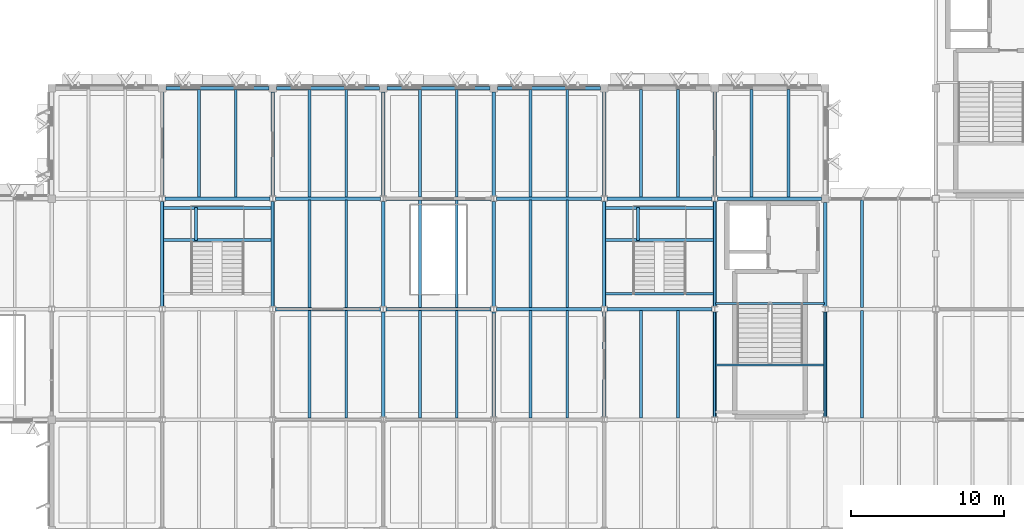
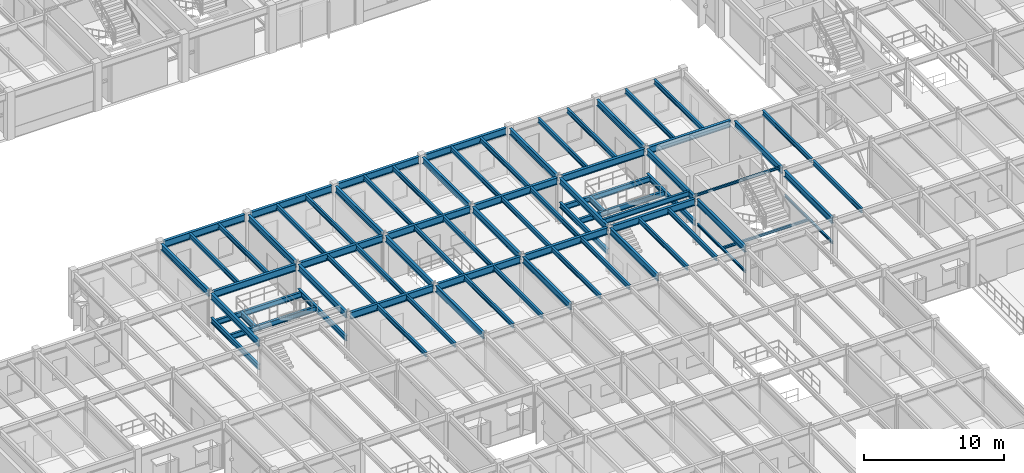
# One storey, part 19 of 85: 75 beams.
"""IFC4 building model written with IfcOpenShell, lengths in metres."""

from ifc_helpers import new_model, si_unit, direction, frame, origin, origin_2d, place, context, subcontext, project, spatial, i_section, extrude, material, material_profile, profile_set, type_object, element, save


model = new_model("IFC4")

# Units and contexts
model_context = context("Model", 3, precision=1e-05, world=origin(), true_north=direction((0.0, 1.0)))
body_context = subcontext(model_context, "Body", "Model", "MODEL_VIEW")
ifc_project = project(units=[si_unit("LENGTHUNIT", "METRE"), si_unit("AREAUNIT", "SQUARE_METRE"), si_unit("VOLUMEUNIT", "CUBIC_METRE"), si_unit("PLANEANGLEUNIT", "RADIAN"), si_unit("MASSUNIT", "GRAM", prefix="KILO")], contexts=[model_context])

# Site, building, storey
site_placement = place(None, origin())
site = spatial("IfcSite", under=ifc_project, at=site_placement, CompositionType="ELEMENT")
building_placement = place(site_placement, origin())
building = spatial("IfcBuilding", under=site, at=building_placement, Name="Sillqori Civic Hall", CompositionType="ELEMENT")
storey_placement = place(building_placement, frame((0.0, 0.0, 9.89990234375)))
storey = spatial("IfcBuildingStorey", under=building, at=storey_placement, Name="L03", CompositionType="ELEMENT", Elevation=9.89990234375)

# Beams
ifc_material = material(Name="Steel ASTM A992", Category="steel")
ifc_material_profile_1 = material_profile(ifc_material, i_section(OverallWidth=0.19091796875, OverallDepth=0.4599609375, WebThickness=0.010009765625, FlangeThickness=0.01611328125, FilletRadius=0.012939453125, at=origin_2d()), Name="W18X55")
ifc_profile_set_1 = profile_set([ifc_material_profile_1], Name="Steel ASTM A992")
beam_type_1 = type_object("IfcBeamType", Name="BM-W18X55", PredefinedType="BEAM", material=ifc_profile_set_1)
for number, where, z_axis, x_axis, name in (
    (1, (72.0, 43.37451171875, 1.675048828125), (0.0, 1.0, 0.0), (-1.0, 0.0, 0.0), "Wedge Atrium Upper West Stair L03-L04 landing stringer girder W"),
    (2, (79.199951171875, 43.37451171875, 1.675048828125), (0.0, 1.0, 0.0), (-1.0, 0.0, 0.0), "Wedge Atrium Upper West Stair L03-L04 landing stringer girder E"),
):
    element("IfcBeam", number, at=place(storey_placement, frame(where, z_axis=z_axis, x_axis=x_axis)), inside=storey, type_object=beam_type_1, Name=name, PredefinedType="BEAM", context=body_context, shape_type="SweptSolid", body=[
        extrude(i_section(OverallWidth=0.19091796875, OverallDepth=0.4599609375, WebThickness=0.010009765625, FlangeThickness=0.01611328125, FilletRadius=0.012939453125, at=origin_2d()), origin(), (0.0, 0.0, 1.0), 6.85107421875),
    ])
for number, where, z_axis, x_axis, name in (
    (3, (72.0400390625, 47.7099609375, 1.675048828125), (1.0, 0.0, 0.0), (0.0, 1.0, 0.0), "Wedge Atrium Upper West Stair L03-L04 half-landing cross trimmer 1"),
    (4, (72.0400390625, 49.780029296875, 1.675048828125), (1.0, 0.0, 0.0), (0.0, 1.0, 0.0), "Wedge Atrium Upper West Stair L03-L04 half-landing cross trimmer 2"),
):
    element("IfcBeam", number, at=place(storey_placement, frame(where, z_axis=z_axis, x_axis=x_axis)), inside=storey, type_object=beam_type_1, Name=name, PredefinedType="BEAM", context=body_context, shape_type="SweptSolid", body=[
        extrude(i_section(OverallWidth=0.19091796875, OverallDepth=0.4599609375, WebThickness=0.010009765625, FlangeThickness=0.01611328125, FilletRadius=0.012939453125, at=origin_2d()), origin(), (0.0, 0.0, 1.0), 7.119873046875),
    ])
beam_1_placement = place(storey_placement, frame((74.199951171875, 47.679931640625, 1.675048828125), z_axis=(0.0, 1.0, 0.0), x_axis=(-1.0, 0.0, 0.0)))
element("IfcBeam", 5, at=beam_1_placement, inside=storey, type_object=beam_type_1, Name="Wedge Atrium Upper West Stair L03-L04 half-landing spine rib", PredefinedType="BEAM", context=body_context, shape_type="SweptSolid", body=[
    extrude(i_section(OverallWidth=0.19091796875, OverallDepth=0.4599609375, WebThickness=0.010009765625, FlangeThickness=0.01611328125, FilletRadius=0.012939453125, at=origin_2d()), origin(), (0.0, 0.0, 1.0), 2.130126953125),
])
for number, where, z_axis, x_axis, name in (
    (6, (100.800048828125, 43.37451171875, 1.675048828125), (0.0, 1.0, 0.0), (-1.0, 0.0, 0.0), "Wedge Atrium Upper East Stair L03-L04 landing stringer girder W"),
    (7, (108.0, 43.37451171875, 1.675048828125), (0.0, 1.0, 0.0), (-1.0, 0.0, 0.0), "Wedge Atrium Upper East Stair L03-L04 landing stringer girder E"),
):
    element("IfcBeam", number, at=place(storey_placement, frame(where, z_axis=z_axis, x_axis=x_axis)), inside=storey, type_object=beam_type_1, Name=name, PredefinedType="BEAM", context=body_context, shape_type="SweptSolid", body=[
        extrude(i_section(OverallWidth=0.19091796875, OverallDepth=0.4599609375, WebThickness=0.010009765625, FlangeThickness=0.01611328125, FilletRadius=0.012939453125, at=origin_2d()), origin(), (0.0, 0.0, 1.0), 6.85107421875),
    ])
for number, where, z_axis, x_axis, name in (
    (8, (100.840087890625, 47.7099609375, 1.675048828125), (1.0, 0.0, 0.0), (0.0, 1.0, 0.0), "Wedge Atrium Upper East Stair L03-L04 half-landing cross trimmer 1"),
    (9, (100.840087890625, 49.780029296875, 1.675048828125), (1.0, 0.0, 0.0), (0.0, 1.0, 0.0), "Wedge Atrium Upper East Stair L03-L04 half-landing cross trimmer 2"),
):
    element("IfcBeam", number, at=place(storey_placement, frame(where, z_axis=z_axis, x_axis=x_axis)), inside=storey, type_object=beam_type_1, Name=name, PredefinedType="BEAM", context=body_context, shape_type="SweptSolid", body=[
        extrude(i_section(OverallWidth=0.19091796875, OverallDepth=0.4599609375, WebThickness=0.010009765625, FlangeThickness=0.01611328125, FilletRadius=0.012939453125, at=origin_2d()), origin(), (0.0, 0.0, 1.0), 7.119873046875),
    ])
beam_2_placement = place(storey_placement, frame((103.0, 47.679931640625, 1.675048828125), z_axis=(0.0, 1.0, 0.0), x_axis=(-1.0, 0.0, 0.0)))
element("IfcBeam", 10, at=beam_2_placement, inside=storey, type_object=beam_type_1, Name="Wedge Atrium Upper East Stair L03-L04 half-landing spine rib", PredefinedType="BEAM", context=body_context, shape_type="SweptSolid", body=[
    extrude(i_section(OverallWidth=0.19091796875, OverallDepth=0.4599609375, WebThickness=0.010009765625, FlangeThickness=0.01611328125, FilletRadius=0.012939453125, at=origin_2d()), origin(), (0.0, 0.0, 1.0), 2.130126953125),
])
beam_3_placement = place(storey_placement, frame((100.840087890625, 44.199951171875, 3.795166015625), z_axis=(1.0, 0.0, 0.0), x_axis=(0.0, 1.0, 0.0)))
element("IfcBeam", 11, at=beam_3_placement, inside=storey, type_object=beam_type_1, Name="Wedge Atrium Upper East Stair L03-L04 upper arrival trimmer beam", PredefinedType="BEAM", context=body_context, shape_type="SweptSolid", body=[
    extrude(i_section(OverallWidth=0.19091796875, OverallDepth=0.4599609375, WebThickness=0.010009765625, FlangeThickness=0.01611328125, FilletRadius=0.012939453125, at=origin_2d()), origin(), (0.0, 0.0, 1.0), 7.119873046875),
])
ifc_material_profile_2 = material_profile(ifc_material, i_section(OverallWidth=0.2099609375, OverallDepth=0.532958984375, WebThickness=0.01025390625, FlangeThickness=0.015625, FilletRadius=0.013916015625, at=origin_2d()), Name="W21X62")
ifc_profile_set_2 = profile_set([ifc_material_profile_2], Name="Steel ASTM A992")
beam_type_2 = type_object("IfcBeamType", Name="BM-W21X62", PredefinedType="BEAM", material=ifc_profile_set_2)
beam_4_placement = place(storey_placement, frame((72.0, 43.37451171875, 3.753662109375), z_axis=(0.0, 1.0, 0.0), x_axis=(-1.0, 0.0, 0.0)))
element("IfcBeam", 12, at=beam_4_placement, inside=storey, type_object=beam_type_2, Name="L03 girder Y 10-6", PredefinedType="BEAM", context=body_context, shape_type="SweptSolid", body=[
    extrude(i_section(OverallWidth=0.2099609375, OverallDepth=0.532958984375, WebThickness=0.01025390625, FlangeThickness=0.015625, FilletRadius=0.013916015625, at=origin_2d()), origin(), (0.0, 0.0, 1.0), 6.85107421875),
])
beam_5_placement = place(storey_placement, frame((72.0, 50.574462890625, 3.753662109375), z_axis=(0.0, 1.0, 0.0), x_axis=(-1.0, 0.0, 0.0)))
element("IfcBeam", 13, at=beam_5_placement, inside=storey, type_object=beam_type_2, Name="L03 girder Y 10-7", PredefinedType="BEAM", context=body_context, shape_type="SweptSolid", body=[
    extrude(i_section(OverallWidth=0.2099609375, OverallDepth=0.532958984375, WebThickness=0.01025390625, FlangeThickness=0.015625, FilletRadius=0.013916015625, at=origin_2d()), origin(), (0.0, 0.0, 1.0), 6.781494140625),
])
beam_6_placement = place(storey_placement, frame((79.199951171875, 43.37451171875, 3.753662109375), z_axis=(0.0, 1.0, 0.0), x_axis=(-1.0, 0.0, 0.0)))
element("IfcBeam", 14, at=beam_6_placement, inside=storey, type_object=beam_type_2, Name="L03 girder Y 11-6", PredefinedType="BEAM", context=body_context, shape_type="SweptSolid", body=[
    extrude(i_section(OverallWidth=0.2099609375, OverallDepth=0.532958984375, WebThickness=0.01025390625, FlangeThickness=0.015625, FilletRadius=0.013916015625, at=origin_2d()), origin(), (0.0, 0.0, 1.0), 6.85107421875),
])
beam_7_placement = place(storey_placement, frame((79.199951171875, 50.574462890625, 3.753662109375), z_axis=(0.0, 1.0, 0.0), x_axis=(-1.0, 0.0, 0.0)))
element("IfcBeam", 15, at=beam_7_placement, inside=storey, type_object=beam_type_2, Name="L03 girder Y 11-7", PredefinedType="BEAM", context=body_context, shape_type="SweptSolid", body=[
    extrude(i_section(OverallWidth=0.2099609375, OverallDepth=0.532958984375, WebThickness=0.01025390625, FlangeThickness=0.015625, FilletRadius=0.013916015625, at=origin_2d()), origin(), (0.0, 0.0, 1.0), 6.781494140625),
])
beam_8_placement = place(storey_placement, frame((86.39990234375, 36.174560546875, 3.753662109375), z_axis=(0.0, 1.0, 0.0), x_axis=(-1.0, 0.0, 0.0)))
element("IfcBeam", 16, at=beam_8_placement, inside=storey, type_object=beam_type_2, Name="L03 girder Y 12-5", PredefinedType="BEAM", context=body_context, shape_type="SweptSolid", body=[
    extrude(i_section(OverallWidth=0.2099609375, OverallDepth=0.532958984375, WebThickness=0.01025390625, FlangeThickness=0.015625, FilletRadius=0.013916015625, at=origin_2d()), origin(), (0.0, 0.0, 1.0), 6.850830078125),
])
beam_9_placement = place(storey_placement, frame((86.39990234375, 43.37451171875, 3.753662109375), z_axis=(0.0, 1.0, 0.0), x_axis=(-1.0, 0.0, 0.0)))
element("IfcBeam", 17, at=beam_9_placement, inside=storey, type_object=beam_type_2, Name="L03 girder Y 12-6", PredefinedType="BEAM", context=body_context, shape_type="SweptSolid", body=[
    extrude(i_section(OverallWidth=0.2099609375, OverallDepth=0.532958984375, WebThickness=0.01025390625, FlangeThickness=0.015625, FilletRadius=0.013916015625, at=origin_2d()), origin(), (0.0, 0.0, 1.0), 6.85107421875),
])
beam_10_placement = place(storey_placement, frame((86.39990234375, 50.574462890625, 3.753662109375), z_axis=(0.0, 1.0, 0.0), x_axis=(-1.0, 0.0, 0.0)))
element("IfcBeam", 18, at=beam_10_placement, inside=storey, type_object=beam_type_2, Name="L03 girder Y 12-7", PredefinedType="BEAM", context=body_context, shape_type="SweptSolid", body=[
    extrude(i_section(OverallWidth=0.2099609375, OverallDepth=0.532958984375, WebThickness=0.01025390625, FlangeThickness=0.015625, FilletRadius=0.013916015625, at=origin_2d()), origin(), (0.0, 0.0, 1.0), 6.781494140625),
])
beam_11_placement = place(storey_placement, frame((93.60009765625, 36.174560546875, 3.753662109375), z_axis=(0.0, 1.0, 0.0), x_axis=(-1.0, 0.0, 0.0)))
element("IfcBeam", 19, at=beam_11_placement, inside=storey, type_object=beam_type_2, Name="L03 girder Y 13-5", PredefinedType="BEAM", context=body_context, shape_type="SweptSolid", body=[
    extrude(i_section(OverallWidth=0.2099609375, OverallDepth=0.532958984375, WebThickness=0.01025390625, FlangeThickness=0.015625, FilletRadius=0.013916015625, at=origin_2d()), origin(), (0.0, 0.0, 1.0), 6.850830078125),
])
beam_12_placement = place(storey_placement, frame((93.60009765625, 43.37451171875, 3.753662109375), z_axis=(0.0, 1.0, 0.0), x_axis=(-1.0, 0.0, 0.0)))
element("IfcBeam", 20, at=beam_12_placement, inside=storey, type_object=beam_type_2, Name="L03 girder Y 13-6", PredefinedType="BEAM", context=body_context, shape_type="SweptSolid", body=[
    extrude(i_section(OverallWidth=0.2099609375, OverallDepth=0.532958984375, WebThickness=0.01025390625, FlangeThickness=0.015625, FilletRadius=0.013916015625, at=origin_2d()), origin(), (0.0, 0.0, 1.0), 6.85107421875),
])
beam_13_placement = place(storey_placement, frame((93.60009765625, 50.574462890625, 3.753662109375), z_axis=(0.0, 1.0, 0.0), x_axis=(-1.0, 0.0, 0.0)))
element("IfcBeam", 21, at=beam_13_placement, inside=storey, type_object=beam_type_2, Name="L03 girder Y 13-7", PredefinedType="BEAM", context=body_context, shape_type="SweptSolid", body=[
    extrude(i_section(OverallWidth=0.2099609375, OverallDepth=0.532958984375, WebThickness=0.01025390625, FlangeThickness=0.015625, FilletRadius=0.013916015625, at=origin_2d()), origin(), (0.0, 0.0, 1.0), 6.781494140625),
])
beam_14_placement = place(storey_placement, frame((100.800048828125, 36.174560546875, 3.753662109375), z_axis=(0.0, 1.0, 0.0), x_axis=(-1.0, 0.0, 0.0)))
element("IfcBeam", 22, at=beam_14_placement, inside=storey, type_object=beam_type_2, Name="L03 girder Y 14-5", PredefinedType="BEAM", context=body_context, shape_type="SweptSolid", body=[
    extrude(i_section(OverallWidth=0.2099609375, OverallDepth=0.532958984375, WebThickness=0.01025390625, FlangeThickness=0.015625, FilletRadius=0.013916015625, at=origin_2d()), origin(), (0.0, 0.0, 1.0), 6.850830078125),
])
beam_15_placement = place(storey_placement, frame((100.800048828125, 43.37451171875, 3.753662109375), z_axis=(0.0, 1.0, 0.0), x_axis=(-1.0, 0.0, 0.0)))
element("IfcBeam", 23, at=beam_15_placement, inside=storey, type_object=beam_type_2, Name="L03 girder Y 14-6", PredefinedType="BEAM", context=body_context, shape_type="SweptSolid", body=[
    extrude(i_section(OverallWidth=0.2099609375, OverallDepth=0.532958984375, WebThickness=0.01025390625, FlangeThickness=0.015625, FilletRadius=0.013916015625, at=origin_2d()), origin(), (0.0, 0.0, 1.0), 6.85107421875),
])
beam_16_placement = place(storey_placement, frame((100.800048828125, 50.574462890625, 3.753662109375), z_axis=(0.0, 1.0, 0.0), x_axis=(-1.0, 0.0, 0.0)))
element("IfcBeam", 24, at=beam_16_placement, inside=storey, type_object=beam_type_2, Name="L03 girder Y 14-7", PredefinedType="BEAM", context=body_context, shape_type="SweptSolid", body=[
    extrude(i_section(OverallWidth=0.2099609375, OverallDepth=0.532958984375, WebThickness=0.01025390625, FlangeThickness=0.015625, FilletRadius=0.013916015625, at=origin_2d()), origin(), (0.0, 0.0, 1.0), 6.781494140625),
])
beam_17_placement = place(storey_placement, frame((108.0, 36.174560546875, 3.753662109375), z_axis=(0.0, 1.0, 0.0), x_axis=(-1.0, 0.0, 0.0)))
element("IfcBeam", 25, at=beam_17_placement, inside=storey, type_object=beam_type_2, Name="L03 girder Y 15-5", PredefinedType="BEAM", context=body_context, shape_type="SweptSolid", body=[
    extrude(i_section(OverallWidth=0.2099609375, OverallDepth=0.532958984375, WebThickness=0.01025390625, FlangeThickness=0.015625, FilletRadius=0.013916015625, at=origin_2d()), origin(), (0.0, 0.0, 1.0), 6.850830078125),
])
beam_18_placement = place(storey_placement, frame((108.0, 43.37451171875, 3.753662109375), z_axis=(0.0, 1.0, 0.0), x_axis=(-1.0, 0.0, 0.0)))
element("IfcBeam", 26, at=beam_18_placement, inside=storey, type_object=beam_type_2, Name="L03 girder Y 15-6", PredefinedType="BEAM", context=body_context, shape_type="SweptSolid", body=[
    extrude(i_section(OverallWidth=0.2099609375, OverallDepth=0.532958984375, WebThickness=0.01025390625, FlangeThickness=0.015625, FilletRadius=0.013916015625, at=origin_2d()), origin(), (0.0, 0.0, 1.0), 6.85107421875),
])
beam_19_placement = place(storey_placement, frame((108.0, 50.574462890625, 3.753662109375), z_axis=(0.0, 1.0, 0.0), x_axis=(-1.0, 0.0, 0.0)))
element("IfcBeam", 27, at=beam_19_placement, inside=storey, type_object=beam_type_2, Name="L03 girder Y 15-7", PredefinedType="BEAM", context=body_context, shape_type="SweptSolid", body=[
    extrude(i_section(OverallWidth=0.2099609375, OverallDepth=0.532958984375, WebThickness=0.01025390625, FlangeThickness=0.015625, FilletRadius=0.013916015625, at=origin_2d()), origin(), (0.0, 0.0, 1.0), 6.781494140625),
])
beam_20_placement = place(storey_placement, frame((115.199951171875, 36.174560546875, 3.733642578125), z_axis=(0.0, 1.0, 0.0), x_axis=(-1.0, 0.0, 0.0)))
element("IfcBeam", 28, at=beam_20_placement, inside=storey, type_object=beam_type_2, Name="L03 girder Y 16-5", PredefinedType="BEAM", context=body_context, shape_type="SweptSolid", body=[
    extrude(i_section(OverallWidth=0.2099609375, OverallDepth=0.532958984375, WebThickness=0.01025390625, FlangeThickness=0.015625, FilletRadius=0.013916015625, at=origin_2d()), origin(), (0.0, 0.0, 1.0), 6.850830078125),
])
beam_21_placement = place(storey_placement, frame((115.199951171875, 43.37451171875, 3.733642578125), z_axis=(0.0, 1.0, 0.0), x_axis=(-1.0, 0.0, 0.0)))
element("IfcBeam", 29, at=beam_21_placement, inside=storey, type_object=beam_type_2, Name="L03 girder Y 16-6", PredefinedType="BEAM", context=body_context, shape_type="SweptSolid", body=[
    extrude(i_section(OverallWidth=0.2099609375, OverallDepth=0.532958984375, WebThickness=0.01025390625, FlangeThickness=0.015625, FilletRadius=0.013916015625, at=origin_2d()), origin(), (0.0, 0.0, 1.0), 6.781494140625),
])
ifc_material_profile_3 = material_profile(ifc_material, i_section(OverallWidth=0.22802734375, OverallDepth=0.60205078125, WebThickness=0.010498046875, FlangeThickness=0.014892578125, FilletRadius=0.014892578125, at=origin_2d()), Name="W24X68")
ifc_profile_set_3 = profile_set([ifc_material_profile_3], Name="Steel ASTM A992")
beam_type_3 = type_object("IfcBeamType", Name="BM-W24X68", PredefinedType="BEAM", material=ifc_profile_set_3)
beam_22_placement = place(storey_placement, frame((72.179443359375, 50.39990234375, 3.718994140625), z_axis=(1.0, 0.0, 0.0), x_axis=(0.0, 1.0, 0.0)))
element("IfcBeam", 30, at=beam_22_placement, inside=storey, type_object=beam_type_3, Name="L03 girder X 10-7", PredefinedType="BEAM", context=body_context, shape_type="SweptSolid", body=[
    extrude(i_section(OverallWidth=0.22802734375, OverallDepth=0.60205078125, WebThickness=0.010498046875, FlangeThickness=0.014892578125, FilletRadius=0.014892578125, at=origin_2d()), origin(), (0.0, 0.0, 1.0), 6.841064453125),
])
beam_23_placement = place(storey_placement, frame((72.243896484375, 57.60009765625, 3.718994140625), z_axis=(1.0, 0.0, 0.0), x_axis=(0.0, 1.0, 0.0)))
element("IfcBeam", 31, at=beam_23_placement, inside=storey, type_object=beam_type_3, Name="L03 girder X 10-8", PredefinedType="BEAM", context=body_context, shape_type="SweptSolid", body=[
    extrude(i_section(OverallWidth=0.22802734375, OverallDepth=0.60205078125, WebThickness=0.010498046875, FlangeThickness=0.014892578125, FilletRadius=0.014892578125, at=origin_2d()), origin(), (0.0, 0.0, 1.0), 6.712158203125),
])
for number, where, z_axis, x_axis, name in (
    (32, (79.37939453125, 43.199951171875, 3.718994140625), (1.0, 0.0, 0.0), (0.0, 1.0, 0.0), "L03 girder X 11-6"),
    (33, (79.37939453125, 50.39990234375, 3.718994140625), (1.0, 0.0, 0.0), (0.0, 1.0, 0.0), "L03 girder X 11-7"),
):
    element("IfcBeam", number, at=place(storey_placement, frame(where, z_axis=z_axis, x_axis=x_axis)), inside=storey, type_object=beam_type_3, Name=name, PredefinedType="BEAM", context=body_context, shape_type="SweptSolid", body=[
        extrude(i_section(OverallWidth=0.22802734375, OverallDepth=0.60205078125, WebThickness=0.010498046875, FlangeThickness=0.014892578125, FilletRadius=0.014892578125, at=origin_2d()), origin(), (0.0, 0.0, 1.0), 6.841064453125),
    ])
beam_24_placement = place(storey_placement, frame((79.444091796875, 57.60009765625, 3.718994140625), z_axis=(1.0, 0.0, 0.0), x_axis=(0.0, 1.0, 0.0)))
element("IfcBeam", 34, at=beam_24_placement, inside=storey, type_object=beam_type_3, Name="L03 girder X 11-8", PredefinedType="BEAM", context=body_context, shape_type="SweptSolid", body=[
    extrude(i_section(OverallWidth=0.22802734375, OverallDepth=0.60205078125, WebThickness=0.010498046875, FlangeThickness=0.014892578125, FilletRadius=0.014892578125, at=origin_2d()), origin(), (0.0, 0.0, 1.0), 6.7119140625),
])
for number, where, z_axis, x_axis, name in (
    (35, (86.57958984375, 43.199951171875, 3.718994140625), (1.0, 0.0, 0.0), (0.0, 1.0, 0.0), "L03 girder X 12-6"),
    (36, (86.57958984375, 50.39990234375, 3.718994140625), (1.0, 0.0, 0.0), (0.0, 1.0, 0.0), "L03 girder X 12-7"),
):
    element("IfcBeam", number, at=place(storey_placement, frame(where, z_axis=z_axis, x_axis=x_axis)), inside=storey, type_object=beam_type_3, Name=name, PredefinedType="BEAM", context=body_context, shape_type="SweptSolid", body=[
        extrude(i_section(OverallWidth=0.22802734375, OverallDepth=0.60205078125, WebThickness=0.010498046875, FlangeThickness=0.014892578125, FilletRadius=0.014892578125, at=origin_2d()), origin(), (0.0, 0.0, 1.0), 6.8408203125),
    ])
beam_25_placement = place(storey_placement, frame((86.64404296875, 57.60009765625, 3.718994140625), z_axis=(1.0, 0.0, 0.0), x_axis=(0.0, 1.0, 0.0)))
element("IfcBeam", 37, at=beam_25_placement, inside=storey, type_object=beam_type_3, Name="L03 girder X 12-8", PredefinedType="BEAM", context=body_context, shape_type="SweptSolid", body=[
    extrude(i_section(OverallWidth=0.22802734375, OverallDepth=0.60205078125, WebThickness=0.010498046875, FlangeThickness=0.014892578125, FilletRadius=0.014892578125, at=origin_2d()), origin(), (0.0, 0.0, 1.0), 6.7119140625),
])
for number, where, z_axis, x_axis, name in (
    (38, (93.779541015625, 43.199951171875, 3.718994140625), (1.0, 0.0, 0.0), (0.0, 1.0, 0.0), "L03 girder X 13-6"),
    (39, (93.779541015625, 50.39990234375, 3.718994140625), (1.0, 0.0, 0.0), (0.0, 1.0, 0.0), "L03 girder X 13-7"),
):
    element("IfcBeam", number, at=place(storey_placement, frame(where, z_axis=z_axis, x_axis=x_axis)), inside=storey, type_object=beam_type_3, Name=name, PredefinedType="BEAM", context=body_context, shape_type="SweptSolid", body=[
        extrude(i_section(OverallWidth=0.22802734375, OverallDepth=0.60205078125, WebThickness=0.010498046875, FlangeThickness=0.014892578125, FilletRadius=0.014892578125, at=origin_2d()), origin(), (0.0, 0.0, 1.0), 6.841064453125),
    ])
beam_26_placement = place(storey_placement, frame((93.843994140625, 57.60009765625, 3.718994140625), z_axis=(1.0, 0.0, 0.0), x_axis=(0.0, 1.0, 0.0)))
element("IfcBeam", 40, at=beam_26_placement, inside=storey, type_object=beam_type_3, Name="L03 girder X 13-8", PredefinedType="BEAM", context=body_context, shape_type="SweptSolid", body=[
    extrude(i_section(OverallWidth=0.22802734375, OverallDepth=0.60205078125, WebThickness=0.010498046875, FlangeThickness=0.014892578125, FilletRadius=0.014892578125, at=origin_2d()), origin(), (0.0, 0.0, 1.0), 6.7119140625),
])
for number, where, z_axis, x_axis, name in (
    (41, (100.9794921875, 43.199951171875, 3.718994140625), (1.0, 0.0, 0.0), (0.0, 1.0, 0.0), "L03 girder X 14-6"),
    (42, (100.9794921875, 50.39990234375, 3.718994140625), (1.0, 0.0, 0.0), (0.0, 1.0, 0.0), "L03 girder X 14-7"),
):
    element("IfcBeam", number, at=place(storey_placement, frame(where, z_axis=z_axis, x_axis=x_axis)), inside=storey, type_object=beam_type_3, Name=name, PredefinedType="BEAM", context=body_context, shape_type="SweptSolid", body=[
        extrude(i_section(OverallWidth=0.22802734375, OverallDepth=0.60205078125, WebThickness=0.010498046875, FlangeThickness=0.014892578125, FilletRadius=0.014892578125, at=origin_2d()), origin(), (0.0, 0.0, 1.0), 6.841064453125),
    ])
beam_27_placement = place(storey_placement, frame((108.179443359375, 50.39990234375, 3.718994140625), z_axis=(1.0, 0.0, 0.0), x_axis=(0.0, 1.0, 0.0)))
element("IfcBeam", 43, at=beam_27_placement, inside=storey, type_object=beam_type_3, Name="L03 girder X 15-7", PredefinedType="BEAM", context=body_context, shape_type="SweptSolid", body=[
    extrude(i_section(OverallWidth=0.22802734375, OverallDepth=0.60205078125, WebThickness=0.010498046875, FlangeThickness=0.014892578125, FilletRadius=0.014892578125, at=origin_2d()), origin(), (0.0, 0.0, 1.0), 6.776611328125),
])
ifc_material_profile_4 = material_profile(ifc_material, i_section(OverallWidth=0.177978515625, OverallDepth=0.404052734375, WebThickness=0.007568359375, FlangeThickness=0.010986328125, FilletRadius=0.011962890625, at=origin_2d()), Name="W16X36")
ifc_profile_set_4 = profile_set([ifc_material_profile_4], Name="Steel ASTM A992")
beam_type_4 = type_object("IfcBeamType", Name="JS-W16X36", PredefinedType="JOIST", material=ifc_profile_set_4)
for number, where, z_axis, x_axis, name in (
    (44, (74.39990234375, 50.4951171875, 3.818115234375), (0.0, 1.0, 0.0), (-1.0, 0.0, 0.0), "L03 composite joist 10-7.1"),
    (45, (76.800048828125, 50.4951171875, 3.818115234375), (0.0, 1.0, 0.0), (-1.0, 0.0, 0.0), "L03 composite joist 10-7.2"),
):
    element("IfcBeam", number, at=place(storey_placement, frame(where, z_axis=z_axis, x_axis=x_axis)), inside=storey, type_object=beam_type_4, Name=name, PredefinedType="JOIST", context=body_context, shape_type="SweptSolid", body=[
        extrude(i_section(OverallWidth=0.177978515625, OverallDepth=0.404052734375, WebThickness=0.007568359375, FlangeThickness=0.010986328125, FilletRadius=0.011962890625, at=origin_2d()), origin(), (0.0, 0.0, 1.0), 7.009765625),
    ])
for number, where, z_axis, x_axis, name in (
    (46, (81.60009765625, 36.094970703125, 3.818115234375), (0.0, 1.0, 0.0), (-1.0, 0.0, 0.0), "L03 composite joist 11-5.1"),
    (47, (84.0, 36.094970703125, 3.818115234375), (0.0, 1.0, 0.0), (-1.0, 0.0, 0.0), "L03 composite joist 11-5.2"),
    (48, (81.60009765625, 43.294921875, 3.818115234375), (0.0, 1.0, 0.0), (-1.0, 0.0, 0.0), "L03 composite joist 11-6.1"),
    (49, (84.0, 43.294921875, 3.818115234375), (0.0, 1.0, 0.0), (-1.0, 0.0, 0.0), "L03 composite joist 11-6.2"),
):
    element("IfcBeam", number, at=place(storey_placement, frame(where, z_axis=z_axis, x_axis=x_axis)), inside=storey, type_object=beam_type_4, Name=name, PredefinedType="JOIST", context=body_context, shape_type="SweptSolid", body=[
        extrude(i_section(OverallWidth=0.177978515625, OverallDepth=0.404052734375, WebThickness=0.007568359375, FlangeThickness=0.010986328125, FilletRadius=0.011962890625, at=origin_2d()), origin(), (0.0, 0.0, 1.0), 7.010009765625),
    ])
for number, where, z_axis, x_axis, name in (
    (50, (81.60009765625, 50.4951171875, 3.818115234375), (0.0, 1.0, 0.0), (-1.0, 0.0, 0.0), "L03 composite joist 11-7.1"),
    (51, (84.0, 50.4951171875, 3.818115234375), (0.0, 1.0, 0.0), (-1.0, 0.0, 0.0), "L03 composite joist 11-7.2"),
):
    element("IfcBeam", number, at=place(storey_placement, frame(where, z_axis=z_axis, x_axis=x_axis)), inside=storey, type_object=beam_type_4, Name=name, PredefinedType="JOIST", context=body_context, shape_type="SweptSolid", body=[
        extrude(i_section(OverallWidth=0.177978515625, OverallDepth=0.404052734375, WebThickness=0.007568359375, FlangeThickness=0.010986328125, FilletRadius=0.011962890625, at=origin_2d()), origin(), (0.0, 0.0, 1.0), 7.009765625),
    ])
for number, where, z_axis, x_axis, name in (
    (52, (88.800048828125, 36.094970703125, 3.818115234375), (0.0, 1.0, 0.0), (-1.0, 0.0, 0.0), "L03 composite joist 12-5.1"),
    (53, (91.199951171875, 36.094970703125, 3.818115234375), (0.0, 1.0, 0.0), (-1.0, 0.0, 0.0), "L03 composite joist 12-5.2"),
    (54, (88.800048828125, 43.294921875, 3.818115234375), (0.0, 1.0, 0.0), (-1.0, 0.0, 0.0), "L03 composite joist 12-6.1"),
    (55, (91.199951171875, 43.294921875, 3.818115234375), (0.0, 1.0, 0.0), (-1.0, 0.0, 0.0), "L03 composite joist 12-6.2"),
):
    element("IfcBeam", number, at=place(storey_placement, frame(where, z_axis=z_axis, x_axis=x_axis)), inside=storey, type_object=beam_type_4, Name=name, PredefinedType="JOIST", context=body_context, shape_type="SweptSolid", body=[
        extrude(i_section(OverallWidth=0.177978515625, OverallDepth=0.404052734375, WebThickness=0.007568359375, FlangeThickness=0.010986328125, FilletRadius=0.011962890625, at=origin_2d()), origin(), (0.0, 0.0, 1.0), 7.010009765625),
    ])
for number, where, z_axis, x_axis, name in (
    (56, (88.800048828125, 50.4951171875, 3.818115234375), (0.0, 1.0, 0.0), (-1.0, 0.0, 0.0), "L03 composite joist 12-7.1"),
    (57, (91.199951171875, 50.4951171875, 3.818115234375), (0.0, 1.0, 0.0), (-1.0, 0.0, 0.0), "L03 composite joist 12-7.2"),
):
    element("IfcBeam", number, at=place(storey_placement, frame(where, z_axis=z_axis, x_axis=x_axis)), inside=storey, type_object=beam_type_4, Name=name, PredefinedType="JOIST", context=body_context, shape_type="SweptSolid", body=[
        extrude(i_section(OverallWidth=0.177978515625, OverallDepth=0.404052734375, WebThickness=0.007568359375, FlangeThickness=0.010986328125, FilletRadius=0.011962890625, at=origin_2d()), origin(), (0.0, 0.0, 1.0), 7.009765625),
    ])
for number, where, z_axis, x_axis, name in (
    (58, (96.0, 36.094970703125, 3.818115234375), (0.0, 1.0, 0.0), (-1.0, 0.0, 0.0), "L03 composite joist 13-5.1"),
    (59, (98.39990234375, 36.094970703125, 3.818115234375), (0.0, 1.0, 0.0), (-1.0, 0.0, 0.0), "L03 composite joist 13-5.2"),
    (60, (96.0, 43.294921875, 3.818115234375), (0.0, 1.0, 0.0), (-1.0, 0.0, 0.0), "L03 composite joist 13-6.1"),
    (61, (98.39990234375, 43.294921875, 3.818115234375), (0.0, 1.0, 0.0), (-1.0, 0.0, 0.0), "L03 composite joist 13-6.2"),
):
    element("IfcBeam", number, at=place(storey_placement, frame(where, z_axis=z_axis, x_axis=x_axis)), inside=storey, type_object=beam_type_4, Name=name, PredefinedType="JOIST", context=body_context, shape_type="SweptSolid", body=[
        extrude(i_section(OverallWidth=0.177978515625, OverallDepth=0.404052734375, WebThickness=0.007568359375, FlangeThickness=0.010986328125, FilletRadius=0.011962890625, at=origin_2d()), origin(), (0.0, 0.0, 1.0), 7.010009765625),
    ])
for number, where, z_axis, x_axis, name in (
    (62, (96.0, 50.4951171875, 3.818115234375), (0.0, 1.0, 0.0), (-1.0, 0.0, 0.0), "L03 composite joist 13-7.1"),
    (63, (98.39990234375, 50.4951171875, 3.818115234375), (0.0, 1.0, 0.0), (-1.0, 0.0, 0.0), "L03 composite joist 13-7.2"),
):
    element("IfcBeam", number, at=place(storey_placement, frame(where, z_axis=z_axis, x_axis=x_axis)), inside=storey, type_object=beam_type_4, Name=name, PredefinedType="JOIST", context=body_context, shape_type="SweptSolid", body=[
        extrude(i_section(OverallWidth=0.177978515625, OverallDepth=0.404052734375, WebThickness=0.007568359375, FlangeThickness=0.010986328125, FilletRadius=0.011962890625, at=origin_2d()), origin(), (0.0, 0.0, 1.0), 7.009765625),
    ])
for number, where, z_axis, x_axis, name in (
    (64, (103.199951171875, 36.094970703125, 3.818115234375), (0.0, 1.0, 0.0), (-1.0, 0.0, 0.0), "L03 composite joist 14-5.1"),
    (65, (105.60009765625, 36.094970703125, 3.818115234375), (0.0, 1.0, 0.0), (-1.0, 0.0, 0.0), "L03 composite joist 14-5.2"),
):
    element("IfcBeam", number, at=place(storey_placement, frame(where, z_axis=z_axis, x_axis=x_axis)), inside=storey, type_object=beam_type_4, Name=name, PredefinedType="JOIST", context=body_context, shape_type="SweptSolid", body=[
        extrude(i_section(OverallWidth=0.177978515625, OverallDepth=0.404052734375, WebThickness=0.007568359375, FlangeThickness=0.010986328125, FilletRadius=0.011962890625, at=origin_2d()), origin(), (0.0, 0.0, 1.0), 7.010009765625),
    ])
for number, where, z_axis, x_axis, name in (
    (66, (103.199951171875, 50.4951171875, 3.818115234375), (0.0, 1.0, 0.0), (-1.0, 0.0, 0.0), "L03 composite joist 14-7.1"),
    (67, (105.60009765625, 50.4951171875, 3.818115234375), (0.0, 1.0, 0.0), (-1.0, 0.0, 0.0), "L03 composite joist 14-7.2"),
    (68, (110.39990234375, 50.4951171875, 3.818115234375), (0.0, 1.0, 0.0), (-1.0, 0.0, 0.0), "L03 composite joist 15-7.1"),
    (69, (112.800048828125, 50.4951171875, 3.818115234375), (0.0, 1.0, 0.0), (-1.0, 0.0, 0.0), "L03 composite joist 15-7.2"),
):
    element("IfcBeam", number, at=place(storey_placement, frame(where, z_axis=z_axis, x_axis=x_axis)), inside=storey, type_object=beam_type_4, Name=name, PredefinedType="JOIST", context=body_context, shape_type="SweptSolid", body=[
        extrude(i_section(OverallWidth=0.177978515625, OverallDepth=0.404052734375, WebThickness=0.007568359375, FlangeThickness=0.010986328125, FilletRadius=0.011962890625, at=origin_2d()), origin(), (0.0, 0.0, 1.0), 7.009765625),
    ])
for number, where, z_axis, x_axis, name in (
    (70, (117.60009765625, 36.094970703125, 3.798095703125), (0.0, 1.0, 0.0), (-1.0, 0.0, 0.0), "L03 composite joist 16-5.1"),
    (71, (117.60009765625, 43.294921875, 3.798095703125), (0.0, 1.0, 0.0), (-1.0, 0.0, 0.0), "L03 composite joist 16-6.1"),
):
    element("IfcBeam", number, at=place(storey_placement, frame(where, z_axis=z_axis, x_axis=x_axis)), inside=storey, type_object=beam_type_4, Name=name, PredefinedType="JOIST", context=body_context, shape_type="SweptSolid", body=[
        extrude(i_section(OverallWidth=0.177978515625, OverallDepth=0.404052734375, WebThickness=0.007568359375, FlangeThickness=0.010986328125, FilletRadius=0.011962890625, at=origin_2d()), origin(), (0.0, 0.0, 1.0), 7.010009765625),
    ])
ifc_material_profile_5 = material_profile(ifc_material, i_section(OverallWidth=0.133056640625, OverallDepth=0.20703125, WebThickness=0.005859375, FlangeThickness=0.00830078125, FilletRadius=0.008056640625, at=origin_2d()), Name="W8X18")
ifc_profile_set_5 = profile_set([ifc_material_profile_5], Name="Steel ASTM A992")
beam_type_5 = type_object("IfcBeamType", Name="LN-W8X18", PredefinedType="LINTEL", material=ifc_profile_set_5)
for number, where, z_axis, x_axis, name in (
    (72, (108.0, 36.174560546875, 1.78271484375), (0.0, 1.0, 0.0), (-1.0, 0.0, 0.0), "L03 grid 15 stair landing stringer 1"),
    (73, (115.199951171875, 36.174560546875, 1.78271484375), (0.0, 1.0, 0.0), (-1.0, 0.0, 0.0), "L03 grid 16 stair landing stringer 1"),
):
    element("IfcBeam", number, at=place(storey_placement, frame(where, z_axis=z_axis, x_axis=x_axis)), inside=storey, type_object=beam_type_5, Name=name, PredefinedType="LINTEL", context=body_context, shape_type="SweptSolid", body=[
        extrude(i_section(OverallWidth=0.133056640625, OverallDepth=0.20703125, WebThickness=0.005859375, FlangeThickness=0.00830078125, FilletRadius=0.008056640625, at=origin_2d()), origin(), (0.0, 0.0, 1.0), 6.850830078125),
    ])
for number, where, z_axis, x_axis, name in (
    (74, (108.050048828125, 39.550048828125, 1.78271484375), (1.0, 0.0, 0.0), (0.0, 1.0, 0.0), "L03 C3 stair half-landing steel ledger 1.2"),
    (75, (108.050048828125, 43.570068359375, 3.922607421875), (1.0, 0.0, 0.0), (0.0, 1.0, 0.0), "L03 C3 stair upper arrival steel trimmer"),
):
    element("IfcBeam", number, at=place(storey_placement, frame(where, z_axis=z_axis, x_axis=x_axis)), inside=storey, type_object=beam_type_5, Name=name, PredefinedType="LINTEL", context=body_context, shape_type="SweptSolid", body=[
        extrude(i_section(OverallWidth=0.133056640625, OverallDepth=0.20703125, WebThickness=0.005859375, FlangeThickness=0.00830078125, FilletRadius=0.008056640625, at=origin_2d()), origin(), (0.0, 0.0, 1.0), 7.099853515625),
    ])

save(model, "model.ifc")
